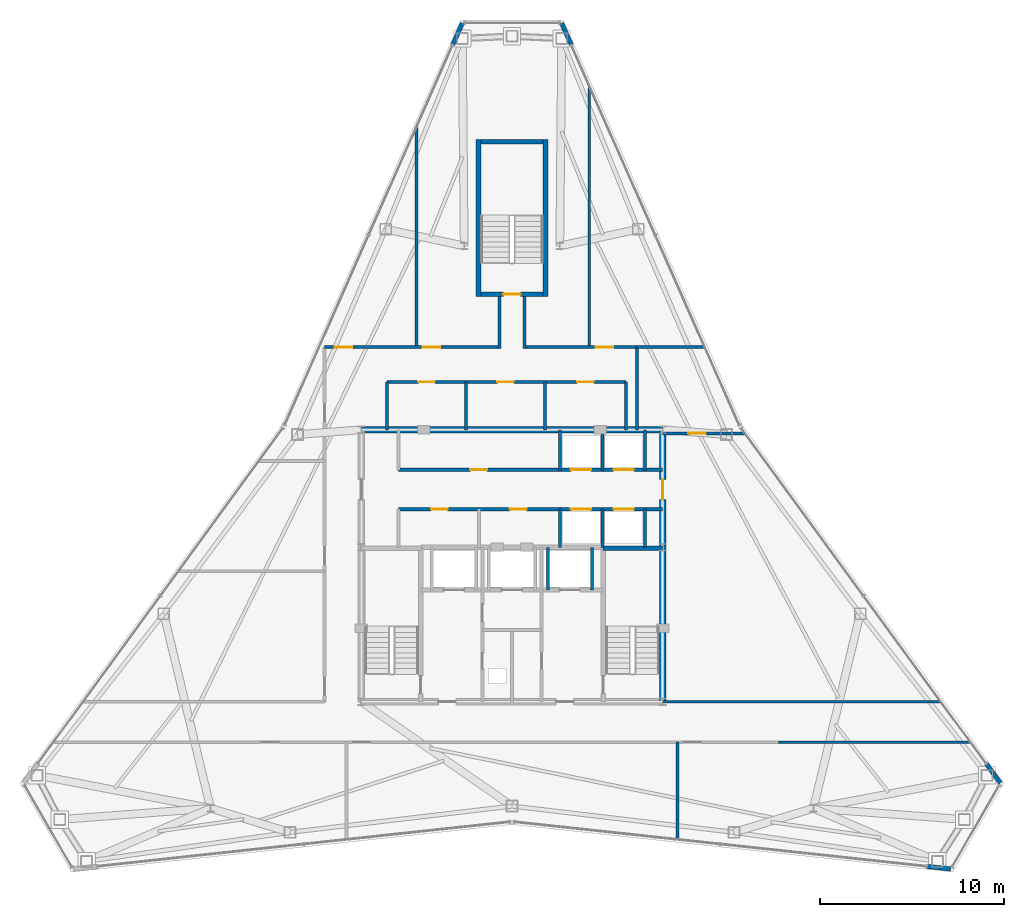
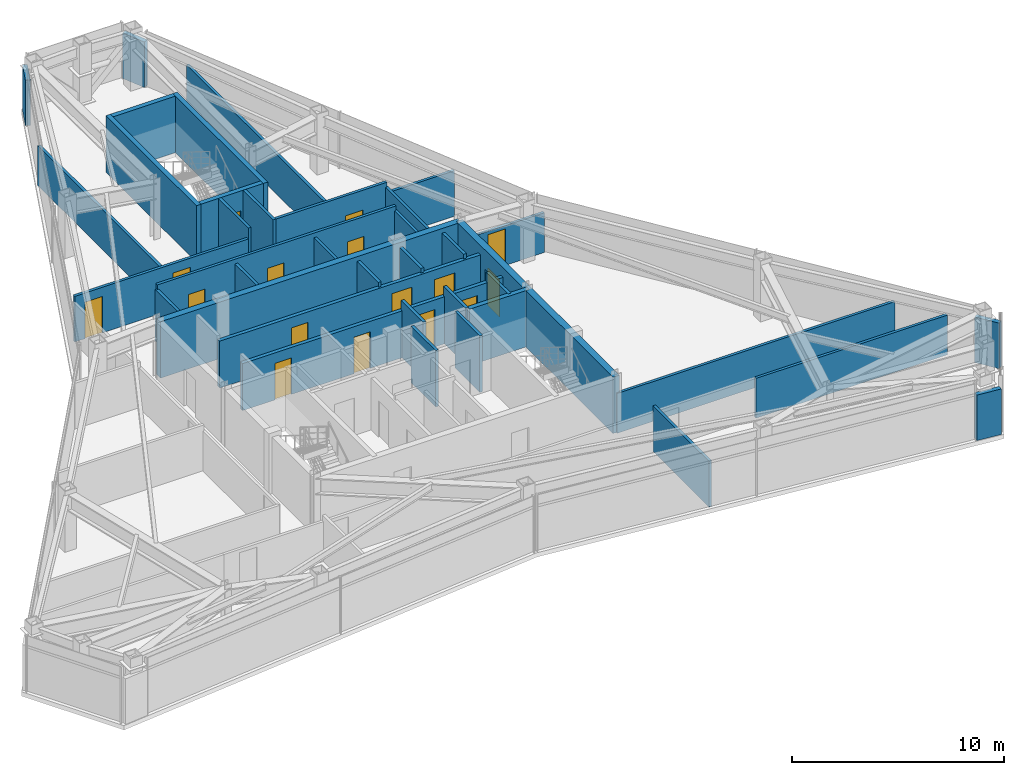
# One storey, part 10 of 12: 38 walls, 16 doors, 16 openings.
"""IFC4 building model written with IfcOpenShell, lengths in metres."""

from ifc_helpers import new_model, si_unit, direction, frame, frame_2d, origin, place, context, subcontext, project, spatial, rectangle, extrude, material, layer, layer_set, type_object, element, fill, save


model = new_model("IFC4")

# Units and contexts
model_context = context("Model", 3, precision=1e-05, world=origin(), true_north=direction((0.0, 1.0)))
body_context = subcontext(model_context, "Body", "Model", "MODEL_VIEW")
ifc_project = project(units=[si_unit("LENGTHUNIT", "METRE"), si_unit("AREAUNIT", "SQUARE_METRE"), si_unit("VOLUMEUNIT", "CUBIC_METRE"), si_unit("PLANEANGLEUNIT", "RADIAN"), si_unit("MASSUNIT", "GRAM", prefix="KILO")], contexts=[model_context])

# Site, building, storey
site_placement = place(None, origin())
site = spatial("IfcSite", under=ifc_project, at=site_placement, CompositionType="ELEMENT")
building_placement = place(site_placement, origin())
building = spatial("IfcBuilding", under=site, at=building_placement, Name="Varakhsha Concourse Tower", CompositionType="ELEMENT")
storey_placement = place(building_placement, frame((0.0, 0.0, 265.5)))
storey = spatial("IfcBuildingStorey", under=building, at=storey_placement, Name="L75", CompositionType="ELEMENT", Elevation=265.5)

# Wall
ifc_material_1 = material(Name="Concrete fc 65 MPa", Category="concrete")
ifc_layer_1 = layer(ifc_material_1, 0.35009765625, Name="WL-CORE-350")
ifc_layer_set_1 = layer_set([ifc_layer_1], Name="Concrete fc 65 MPa")
wall_type_1 = type_object("IfcWallType", Name="WL-CORE-350", PredefinedType="SHEAR", material=ifc_layer_set_1)
wall_1_placement = place(storey_placement, frame((31.800048828125, 31.199951171875, 0.0), z_axis=(0.0, 0.0, 1.0), x_axis=(1.0, 0.0, 0.0)))
element("IfcWall", 1, at=wall_1_placement, inside=storey, type_object=wall_type_1, Name="L75 Wall CWALL-N-L75", PredefinedType="SHEAR", context=body_context, shape_type="SweptSolid", body=[
    extrude(rectangle(XDim=16.39990234375, YDim=0.35009765625, at=frame_2d((8.199951171875, 0.0))), origin(), (0.0, 0.0, 1.0), 3.25),
])

# Wall, opening, door
wall_2_placement = place(storey_placement, frame((48.199951171875, 16.39990234375, 0.0), z_axis=(0.0, 0.0, 1.0), x_axis=(0.0, 1.0, 0.0)))
wall_2 = element("IfcWall", 2, at=wall_2_placement, inside=storey, type_object=wall_type_1, Name="L75 Wall CWALL-E-L75", PredefinedType="SHEAR", context=body_context, shape_type="SweptSolid", body=[
    extrude(rectangle(XDim=14.800048828125, YDim=0.35009765625, at=frame_2d((7.39990234375, 0.0))), origin(), (0.0, 0.0, 1.0), 3.25),
])
opening_1_placement = place(wall_2_placement, frame((11.0, 0.0, 0.0)))
opening_1 = element("IfcOpeningElement", 3, at=opening_1_placement, cuts=wall_2, Name="Opening DL-01", PredefinedType="OPENING", context=body_context, shape_type="SweptSolid", body=[
    extrude(rectangle(XDim=1.10009765625, YDim=2.14990234375, at=frame_2d((0.550048828125, 1.074951171875))), frame((0.0, 0.18505859375, 0.0), z_axis=(0.0, -1.0, 0.0), x_axis=(1.0, 0.0, 0.0)), (0.0, 0.0, 1.0), 0.3701171875),
])
ifc_material_2 = material(Name="Anodised Bronze Architectural Aluminium AA 6063-T6", Category="aluminium")
door_type_1 = type_object("IfcDoorType", Name="DR-LOB-1100", OperationType="NOTDEFINED", PredefinedType="DOOR", material=ifc_material_2)
door_1_placement = place(opening_1_placement, origin())
door_1 = element("IfcDoor", 4, at=door_1_placement, inside=storey, type_object=door_type_1, Name="L75 Lift Lobby East Concourse Door", OperationType="SINGLE_SWING_RIGHT", OverallHeight=2.14990234375, OverallWidth=1.10009765625, PredefinedType="DOOR", context=body_context, shape_type="SweptSolid", body=[
    extrude(rectangle(XDim=1.10009765625, YDim=2.14990234375, at=frame_2d((0.550048828125, 1.074951171875))), frame((0.0, 0.02490234375, 0.0), z_axis=(0.0, -1.0, 0.0), x_axis=(1.0, 0.0, 0.0)), (0.0, 0.0, 1.0), 0.050048828125),
])
fill(opening_1, door_1)

# Walls
ifc_material_3 = material(Name="Concrete fc 45 MPa", Category="concrete")
ifc_layer_2 = layer(ifc_material_3, 0.239990234375, Name="WL-EXT-CRN-240")
ifc_layer_set_2 = layer_set([ifc_layer_2], Name="Concrete fc 45 MPa")
wall_type_2 = type_object("IfcWallType", Name="WL-EXT-CRN-240", PredefinedType="SHEAR", material=ifc_layer_set_2)
wall_3_placement = place(storey_placement, frame((37.299072265625, 53.3251953125, 0.0), z_axis=(0.0, 0.0, 1.0), x_axis=(-0.404283482114, -0.9146337333, 0.0)))
element("IfcWall", 5, at=wall_3_placement, inside=storey, type_object=wall_type_2, Name="L75 Wind-Corner Shoulder Wall F2", PredefinedType="SHEAR", context=body_context, shape_type="SweptSolid", body=[
    extrude(rectangle(XDim=1.2705078125, YDim=0.239990234375, at=frame_2d((0.63525390625, 0.0))), origin(), (0.0, 0.0, 1.0), 2.623046875),
])
for number, where, z_axis, x_axis, name in (
    (6, (62.609619140625, 7.4345703125, 0.0), (0.0, 0.0, 1.0), (0.994223700758, -0.107327689113, 0.0), "L75 Wind-Corner Shoulder Wall F6"),
    (7, (66.572998046875, 11.977294921875, 0.0), (0.0, 0.0, 1.0), (-0.589920134733, 0.807461599481, 0.0), "L75 Wind-Corner Shoulder Wall F8"),
):
    element("IfcWall", number, at=place(storey_placement, frame(where, z_axis=z_axis, x_axis=x_axis)), inside=storey, type_object=wall_type_2, Name=name, PredefinedType="SHEAR", context=body_context, shape_type="SweptSolid", body=[
        extrude(rectangle(XDim=1.269287109375, YDim=0.239990234375, at=frame_2d((0.634765625, 0.0))), origin(), (0.0, 0.0, 1.0), 2.623046875),
    ])
wall_4_placement = place(storey_placement, frame((43.214599609375, 52.1630859375, 0.0), z_axis=(0.0, 0.0, 1.0), x_axis=(-0.404283482114, 0.9146337333, 0.0)))
element("IfcWall", 8, at=wall_4_placement, inside=storey, type_object=wall_type_2, Name="L75 Wind-Corner Shoulder Wall F9", PredefinedType="SHEAR", context=body_context, shape_type="SweptSolid", body=[
    extrude(rectangle(XDim=1.2705078125, YDim=0.239990234375, at=frame_2d((0.63525390625, 0.0))), origin(), (0.0, 0.0, 1.0), 2.623046875),
])

# Wall, openings, doors
ifc_material_4 = material(Name="Fire-Rated Type X Gypsum Partition Assembly", Category="gypsum")
ifc_layer_3 = layer(ifc_material_4, 0.14990234375, Name="WL-PART-150")
ifc_layer_set_3 = layer_set([ifc_layer_3], Name="Fire-Rated Type X Gypsum Partition Assembly")
wall_type_3 = type_object("IfcWallType", Name="WL-PART-150", PredefinedType="PARTITIONING", material=ifc_layer_set_3)
wall_5_placement = place(storey_placement, frame((33.199951171875, 33.800048828125, 0.0), z_axis=(0.0, 0.0, 1.0), x_axis=(1.0, 0.0, 0.0)))
wall_5 = element("IfcWall", 9, at=wall_5_placement, inside=storey, type_object=wall_type_3, Name="L75 Wall NBOH-N-L75", PredefinedType="PARTITIONING", context=body_context, shape_type="SweptSolid", body=[
    extrude(rectangle(XDim=13.0, YDim=0.14990234375, at=frame_2d((6.5, 0.0))), origin(), (0.0, 0.0, 1.0), 3.25),
])
opening_2_placement = place(wall_5_placement, frame((1.699951171875, 0.0, 0.0)))
opening_2 = element("IfcOpeningElement", 10, at=opening_2_placement, cuts=wall_5, Name="Opening DF-06", PredefinedType="OPENING", context=body_context, shape_type="SweptSolid", body=[
    extrude(rectangle(XDim=0.89990234375, YDim=2.10009765625, at=frame_2d((0.449951171875, 1.050048828125))), frame((0.0, 0.0849609375, 0.0), z_axis=(0.0, -1.0, 0.0), x_axis=(1.0, 0.0, 0.0)), (0.0, 0.0, 1.0), 0.169921875),
])
opening_3_placement = place(wall_5_placement, frame((6.0, 0.0, 0.0)))
opening_3 = element("IfcOpeningElement", 11, at=opening_3_placement, cuts=wall_5, Name="Opening DF-06", PredefinedType="OPENING", context=body_context, shape_type="SweptSolid", body=[
    extrude(rectangle(XDim=0.89990234375, YDim=2.10009765625, at=frame_2d((0.449951171875, 1.050048828125))), frame((0.0, 0.0849609375, 0.0), z_axis=(0.0, -1.0, 0.0), x_axis=(1.0, 0.0, 0.0)), (0.0, 0.0, 1.0), 0.169921875),
])
opening_4_placement = place(wall_5_placement, frame((10.35009765625, 0.0, 0.0)))
opening_4 = element("IfcOpeningElement", 12, at=opening_4_placement, cuts=wall_5, Name="Opening DF-06", PredefinedType="OPENING", context=body_context, shape_type="SweptSolid", body=[
    extrude(rectangle(XDim=0.89990234375, YDim=2.10009765625, at=frame_2d((0.449951171875, 1.050048828125))), frame((0.0, 0.0849609375, 0.0), z_axis=(0.0, -1.0, 0.0), x_axis=(1.0, 0.0, 0.0)), (0.0, 0.0, 1.0), 0.169921875),
])
ifc_material_5 = material(Name="Hollow Galvanised Steel Fire Door Assembly", Category="steel")
door_type_2 = type_object("IfcDoorType", Name="DR-FD60-900", OperationType="NOTDEFINED", PredefinedType="DOOR", material=ifc_material_5)
door_2_placement = place(opening_2_placement, origin())
door_2 = element("IfcDoor", 13, at=door_2_placement, inside=storey, type_object=door_type_2, Name="L75 Men Restroom WC Door", OperationType="SINGLE_SWING_LEFT", OverallHeight=2.10009765625, OverallWidth=0.89990234375, PredefinedType="DOOR", context=body_context, shape_type="SweptSolid", body=[
    extrude(rectangle(XDim=0.89990234375, YDim=2.10009765625, at=frame_2d((0.449951171875, 1.050048828125))), frame((0.0, 0.02490234375, 0.0), z_axis=(0.0, -1.0, 0.0), x_axis=(1.0, 0.0, 0.0)), (0.0, 0.0, 1.0), 0.050048828125),
])
fill(opening_2, door_2)
door_3_placement = place(opening_3_placement, origin())
door_3 = element("IfcDoor", 14, at=door_3_placement, inside=storey, type_object=door_type_2, Name="L75 Women Restroom WC Door", OperationType="SINGLE_SWING_RIGHT", OverallHeight=2.10009765625, OverallWidth=0.89990234375, PredefinedType="DOOR", context=body_context, shape_type="SweptSolid", body=[
    extrude(rectangle(XDim=0.89990234375, YDim=2.10009765625, at=frame_2d((0.449951171875, 1.050048828125))), frame((0.0, 0.02490234375, 0.0), z_axis=(0.0, -1.0, 0.0), x_axis=(1.0, 0.0, 0.0)), (0.0, 0.0, 1.0), 0.050048828125),
])
fill(opening_3, door_3)
door_4_placement = place(opening_4_placement, origin())
door_4 = element("IfcDoor", 15, at=door_4_placement, inside=storey, type_object=door_type_2, Name="L75 Accessible WC Door", OperationType="SINGLE_SWING_LEFT", OverallHeight=2.10009765625, OverallWidth=0.89990234375, PredefinedType="DOOR", context=body_context, shape_type="SweptSolid", body=[
    extrude(rectangle(XDim=0.89990234375, YDim=2.10009765625, at=frame_2d((0.449951171875, 1.050048828125))), frame((0.0, 0.02490234375, 0.0), z_axis=(0.0, -1.0, 0.0), x_axis=(1.0, 0.0, 0.0)), (0.0, 0.0, 1.0), 0.050048828125),
])
fill(opening_4, door_4)

# Walls
for number, where, z_axis, x_axis, name in (
    (16, (33.199951171875, 31.199951171875, 0.0), (0.0, 0.0, 1.0), (0.0, 1.0, 0.0), "L75 Wall NBOH-W-L75"),
    (17, (46.199951171875, 31.199951171875, 0.0), (0.0, 0.0, 1.0), (0.0, 1.0, 0.0), "L75 Wall NBOH-E-L75"),
    (18, (37.5, 31.199951171875, 0.0), (0.0, 0.0, 1.0), (0.0, 1.0, 0.0), "L75 Wall NBOH-D1-L75"),
    (19, (41.800048828125, 31.199951171875, 0.0), (0.0, 0.0, 1.0), (0.0, 1.0, 0.0), "L75 Wall NBOH-D2-L75"),
):
    element("IfcWall", number, at=place(storey_placement, frame(where, z_axis=z_axis, x_axis=x_axis)), inside=storey, type_object=wall_type_3, Name=name, PredefinedType="PARTITIONING", context=body_context, shape_type="SweptSolid", body=[
        extrude(rectangle(XDim=2.60009765625, YDim=0.14990234375, at=frame_2d((1.300048828125, 0.0))), origin(), (0.0, 0.0, 1.0), 2.97802734375),
    ])
wall_6_placement = place(storey_placement, frame((54.5, 14.199951171875, 0.0), z_axis=(0.0, 0.0, 1.0), x_axis=(1.0, 0.0, 0.0)))
element("IfcWall", 20, at=wall_6_placement, inside=storey, type_object=wall_type_3, Name="L75 Wall CRW-SGAL-SE-L75", PredefinedType="PARTITIONING", context=body_context, shape_type="SweptSolid", body=[
    extrude(rectangle(XDim=10.44287109375, YDim=0.14990234375, at=frame_2d((5.221435546875, 0.0))), origin(), (0.0, 0.0, 1.0), 2.2919921875),
])
wall_7_placement = place(storey_placement, frame((48.199951171875, 16.39990234375, 0.0), z_axis=(0.0, 0.0, 1.0), x_axis=(1.0, 0.0, 0.0)))
element("IfcWall", 21, at=wall_7_placement, inside=storey, type_object=wall_type_3, Name="L75 Wall CRW-SGAL-NE-L75", PredefinedType="PARTITIONING", context=body_context, shape_type="SweptSolid", body=[
    extrude(rectangle(XDim=15.135498046875, YDim=0.14990234375, at=frame_2d((7.56787109375, 0.0))), origin(), (0.0, 0.0, 1.0), 2.2919921875),
])

# Wall, openings, doors
wall_8_placement = place(storey_placement, frame((29.800048828125, 35.699951171875, 0.0), z_axis=(0.0, 0.0, 1.0), x_axis=(1.0, 0.0, 0.0)))
wall_8 = element("IfcWall", 22, at=wall_8_placement, inside=storey, type_object=wall_type_3, Name="L75 Wall CRW-N-L75", PredefinedType="PARTITIONING", context=body_context, shape_type="SweptSolid", body=[
    extrude(rectangle(XDim=9.449951171875, YDim=0.14990234375, at=frame_2d((4.72509765625, 0.0))), origin(), (0.0, 0.0, 1.0), 2.6279296875),
])
opening_5_placement = place(wall_8_placement, frame((0.550048828125, 0.0, 0.0)))
opening_5 = element("IfcOpeningElement", 23, at=opening_5_placement, cuts=wall_8, Name="Opening DF-05", PredefinedType="OPENING", context=body_context, shape_type="SweptSolid", body=[
    extrude(rectangle(XDim=0.949951171875, YDim=2.10009765625, at=frame_2d((0.47509765625, 1.050048828125))), frame((0.0, 0.0849609375, 0.0), z_axis=(0.0, -1.0, 0.0), x_axis=(1.0, 0.0, 0.0)), (0.0, 0.0, 1.0), 0.169921875),
])
opening_6_placement = place(wall_8_placement, frame((5.35009765625, 0.0, 0.0)))
opening_6 = element("IfcOpeningElement", 24, at=opening_6_placement, cuts=wall_8, Name="Opening DF-05", PredefinedType="OPENING", context=body_context, shape_type="SweptSolid", body=[
    extrude(rectangle(XDim=0.949951171875, YDim=2.10009765625, at=frame_2d((0.47509765625, 1.050048828125))), frame((0.0, 0.0849609375, 0.0), z_axis=(0.0, -1.0, 0.0), x_axis=(1.0, 0.0, 0.0)), (0.0, 0.0, 1.0), 0.169921875),
])
door_type_3 = type_object("IfcDoorType", Name="DR-FD60-950", OperationType="NOTDEFINED", PredefinedType="DOOR", material=ifc_material_5)
door_5_placement = place(opening_5_placement, origin())
door_5 = element("IfcDoor", 25, at=door_5_placement, inside=storey, type_object=door_type_3, Name="L75 Mountain View Deposition Conference Room L75-N1 Door", OperationType="SINGLE_SWING_LEFT", OverallHeight=2.10009765625, OverallWidth=0.949951171875, PredefinedType="DOOR", context=body_context, shape_type="SweptSolid", body=[
    extrude(rectangle(XDim=0.949951171875, YDim=2.10009765625, at=frame_2d((0.47509765625, 1.050048828125))), frame((0.0, 0.02490234375, 0.0), z_axis=(0.0, -1.0, 0.0), x_axis=(1.0, 0.0, 0.0)), (0.0, 0.0, 1.0), 0.050048828125),
])
fill(opening_5, door_5)
door_6_placement = place(opening_6_placement, origin())
door_6 = element("IfcDoor", 26, at=door_6_placement, inside=storey, type_object=door_type_3, Name="L75 North Senior Partner Chamber L75-N2 Door", OperationType="SINGLE_SWING_RIGHT", OverallHeight=2.10009765625, OverallWidth=0.949951171875, PredefinedType="DOOR", context=body_context, shape_type="SweptSolid", body=[
    extrude(rectangle(XDim=0.949951171875, YDim=2.10009765625, at=frame_2d((0.47509765625, 1.050048828125))), frame((0.0, 0.02490234375, 0.0), z_axis=(0.0, -1.0, 0.0), x_axis=(1.0, 0.0, 0.0)), (0.0, 0.0, 1.0), 0.050048828125),
])
fill(opening_6, door_6)

# Wall, opening, door
wall_9_placement = place(storey_placement, frame((40.75, 35.699951171875, 0.0), z_axis=(0.0, 0.0, 1.0), x_axis=(1.0, 0.0, 0.0)))
wall_9 = element("IfcWall", 27, at=wall_9_placement, inside=storey, type_object=wall_type_3, Name="L75 Wall CRW-N-L75-B", PredefinedType="PARTITIONING", context=body_context, shape_type="SweptSolid", body=[
    extrude(rectangle(XDim=6.050048828125, YDim=0.14990234375, at=frame_2d((3.02490234375, 0.0))), origin(), (0.0, 0.0, 1.0), 3.25),
])
opening_7_placement = place(wall_9_placement, frame((3.800048828125, 0.0, 0.0)))
opening_7 = element("IfcOpeningElement", 28, at=opening_7_placement, cuts=wall_9, Name="Opening DF-05", PredefinedType="OPENING", context=body_context, shape_type="SweptSolid", body=[
    extrude(rectangle(XDim=0.949951171875, YDim=2.10009765625, at=frame_2d((0.47509765625, 1.050048828125))), frame((0.0, 0.0849609375, 0.0), z_axis=(0.0, -1.0, 0.0), x_axis=(1.0, 0.0, 0.0)), (0.0, 0.0, 1.0), 0.169921875),
])
door_7_placement = place(opening_7_placement, origin())
door_7 = element("IfcDoor", 29, at=door_7_placement, inside=storey, type_object=door_type_3, Name="L75 North Senior Partner Chamber L75-N3 Door", OperationType="SINGLE_SWING_LEFT", OverallHeight=2.10009765625, OverallWidth=0.949951171875, PredefinedType="DOOR", context=body_context, shape_type="SweptSolid", body=[
    extrude(rectangle(XDim=0.949951171875, YDim=2.10009765625, at=frame_2d((0.47509765625, 1.050048828125))), frame((0.0, 0.02490234375, 0.0), z_axis=(0.0, -1.0, 0.0), x_axis=(1.0, 0.0, 0.0)), (0.0, 0.0, 1.0), 0.050048828125),
])
fill(opening_7, door_7)

# Walls
wall_10_placement = place(storey_placement, frame((46.800048828125, 31.199951171875, 0.0), z_axis=(0.0, 0.0, 1.0), x_axis=(0.0, 1.0, 0.0)))
element("IfcWall", 30, at=wall_10_placement, inside=storey, type_object=wall_type_3, Name="L75 Wall CRW-NE-L75", PredefinedType="PARTITIONING", context=body_context, shape_type="SweptSolid", body=[
    extrude(rectangle(XDim=4.5, YDim=0.14990234375, at=frame_2d((2.25, 0.0))), origin(), (0.0, 0.0, 1.0), 2.97802734375),
])
wall_11_placement = place(storey_placement, frame((49.0, 8.906982421875, 0.0), z_axis=(0.0, 0.0, 1.0), x_axis=(0.0, 1.0, 0.0)))
element("IfcWall", 31, at=wall_11_placement, inside=storey, type_object=wall_type_3, Name="L75 Wall ODIV-S2-L75", PredefinedType="PARTITIONING", context=body_context, shape_type="SweptSolid", body=[
    extrude(rectangle(XDim=5.29296875, YDim=0.14990234375, at=frame_2d((2.646484375, 0.0))), origin(), (0.0, 0.0, 1.0), 2.6279296875),
])
wall_12_placement = place(storey_placement, frame((46.800048828125, 35.699951171875, 0.0), z_axis=(0.0, 0.0, 1.0), x_axis=(1.0, 0.0, 0.0)))
element("IfcWall", 32, at=wall_12_placement, inside=storey, type_object=wall_type_3, Name="L75 Wall ODIV-EBN-L75", PredefinedType="PARTITIONING", context=body_context, shape_type="SweptSolid", body=[
    extrude(rectangle(XDim=3.685791015625, YDim=0.14990234375, at=frame_2d((1.8427734375, 0.0))), origin(), (0.0, 0.0, 1.0), 2.6279296875),
])

# Wall, opening, door
wall_13_placement = place(storey_placement, frame((48.199951171875, 31.0, 0.0), z_axis=(0.0, 0.0, 1.0), x_axis=(1.0, 0.0, 0.0)))
wall_13 = element("IfcWall", 33, at=wall_13_placement, inside=storey, type_object=wall_type_3, Name="L75 Wall ODIV-E1-L75", PredefinedType="PARTITIONING", context=body_context, shape_type="SweptSolid", body=[
    extrude(rectangle(XDim=4.467529296875, YDim=0.14990234375, at=frame_2d((2.23388671875, 0.0))), origin(), (0.0, 0.0, 1.0), 2.2919921875),
])
opening_8_placement = place(wall_13_placement, frame((1.39990234375, 0.0, 0.0)))
opening_8 = element("IfcOpeningElement", 34, at=opening_8_placement, cuts=wall_13, Name="Opening DF-05", PredefinedType="OPENING", context=body_context, shape_type="SweptSolid", body=[
    extrude(rectangle(XDim=0.949951171875, YDim=2.10009765625, at=frame_2d((0.47509765625, 1.050048828125))), frame((0.0, 0.0849609375, 0.0), z_axis=(0.0, -1.0, 0.0), x_axis=(1.0, 0.0, 0.0)), (0.0, 0.0, 1.0), 0.169921875),
])
door_8_placement = place(opening_8_placement, origin())
door_8 = element("IfcDoor", 35, at=door_8_placement, inside=storey, type_object=door_type_3, Name="L75 East Suite Interconnect Door 1", OperationType="SINGLE_SWING_LEFT", OverallHeight=2.10009765625, OverallWidth=0.949951171875, PredefinedType="DOOR", context=body_context, shape_type="SweptSolid", body=[
    extrude(rectangle(XDim=0.949951171875, YDim=2.10009765625, at=frame_2d((0.47509765625, 1.050048828125))), frame((0.0, 0.02490234375, 0.0), z_axis=(0.0, -1.0, 0.0), x_axis=(1.0, 0.0, 0.0)), (0.0, 0.0, 1.0), 0.050048828125),
])
fill(opening_8, door_8)

# Walls
wall_14_placement = place(storey_placement, frame((34.800048828125, 35.699951171875, 0.0), z_axis=(0.0, 0.0, 1.0), x_axis=(0.0, 1.0, 0.0)))
element("IfcWall", 36, at=wall_14_placement, inside=storey, type_object=wall_type_3, Name="L75 Wall ODIV-N1-L75", PredefinedType="PARTITIONING", context=body_context, shape_type="SweptSolid", body=[
    extrude(rectangle(XDim=11.958984375, YDim=0.14990234375, at=frame_2d((5.9794921875, 0.0))), origin(), (0.0, 0.0, 1.0), 2.2919921875),
])
wall_15_placement = place(storey_placement, frame((44.199951171875, 35.699951171875, 0.0), z_axis=(0.0, 0.0, 1.0), x_axis=(0.0, 1.0, 0.0)))
element("IfcWall", 37, at=wall_15_placement, inside=storey, type_object=wall_type_3, Name="L75 Wall ODIV-N2-L75", PredefinedType="PARTITIONING", context=body_context, shape_type="SweptSolid", body=[
    extrude(rectangle(XDim=14.221435546875, YDim=0.14990234375, at=frame_2d((7.11083984375, 0.0))), origin(), (0.0, 0.0, 1.0), 2.2919921875),
])
for number, where, z_axis, x_axis, name in (
    (38, (39.324951171875, 35.625, 0.0), (0.0, 0.0, 1.0), (0.0, 1.0, 0.0), "L75 Wall STUB-W-L75"),
    (39, (40.675048828125, 35.625, 0.0), (0.0, 0.0, 1.0), (0.0, 1.0, 0.0), "L75 Wall STUB-E-L75"),
):
    element("IfcWall", number, at=place(storey_placement, frame(where, z_axis=z_axis, x_axis=x_axis)), inside=storey, type_object=wall_type_3, Name=name, PredefinedType="PARTITIONING", context=body_context, shape_type="SweptSolid", body=[
        extrude(rectangle(XDim=2.824951171875, YDim=0.14990234375, at=frame_2d((1.41259765625, 0.0))), origin(), (0.0, 0.0, 1.0), 3.25),
    ])
ifc_layer_4 = layer(ifc_material_4, 0.199951171875, Name="WL-SHAFT-220")
ifc_layer_set_4 = layer_set([ifc_layer_4], Name="Fire-Rated Type X Gypsum Partition Assembly")
wall_type_4 = type_object("IfcWallType", Name="WL-SHAFT-220", PredefinedType="SOLIDWALL", material=ifc_layer_set_4)
for number, where, z_axis, x_axis, name in (
    (40, (41.949951171875, 22.47998046875, 0.0), (0.0, 0.0, 1.0), (0.0, 1.0, 0.0), "L75 Wall SHW-FFL-2-W-L75"),
    (41, (44.35009765625, 22.47998046875, 0.0), (0.0, 0.0, 1.0), (0.0, 1.0, 0.0), "L75 Wall SHW-FFL-2-E-L75"),
):
    element("IfcWall", number, at=place(storey_placement, frame(where, z_axis=z_axis, x_axis=x_axis)), inside=storey, type_object=wall_type_4, Name=name, PredefinedType="SOLIDWALL", context=body_context, shape_type="SweptSolid", body=[
        extrude(rectangle(XDim=2.320068359375, YDim=0.159912109375, at=frame_2d((1.16015625, 0.0))), origin(), (0.0, 0.0, 1.0), 3.25),
    ])

# Wall, openings, doors
wall_16_placement = place(storey_placement, frame((33.820068359375, 29.02001953125, 0.0), z_axis=(0.0, 0.0, 1.0), x_axis=(1.0, 0.0, 0.0)))
wall_16 = element("IfcWall", 42, at=wall_16_placement, inside=storey, type_object=wall_type_4, Name="L75 Wall PLW-N-L75", PredefinedType="SOLIDWALL", context=body_context, shape_type="SweptSolid", body=[
    extrude(rectangle(XDim=14.3798828125, YDim=0.199951171875, at=frame_2d((7.18994140625, 0.0))), origin(), (0.0, 0.0, 1.0), 2.705078125),
])
opening_9_placement = place(wall_16_placement, frame((3.919921875, 0.0, 0.0)))
opening_9 = element("IfcOpeningElement", 43, at=opening_9_placement, cuts=wall_16, Name="Opening DF-06", PredefinedType="OPENING", context=body_context, shape_type="SweptSolid", body=[
    extrude(rectangle(XDim=0.89990234375, YDim=2.10009765625, at=frame_2d((0.449951171875, 1.050048828125))), frame((0.0, 0.10986328125, 0.0), z_axis=(0.0, -1.0, 0.0), x_axis=(1.0, 0.0, 0.0)), (0.0, 0.0, 1.0), 0.219970703125),
])
opening_10_placement = place(wall_16_placement, frame((9.389892578125, 0.0, 0.0)))
opening_10 = element("IfcOpeningElement", 44, at=opening_10_placement, cuts=wall_16, Name="Opening LD-LF-P09", PredefinedType="OPENING", context=body_context, shape_type="SweptSolid", body=[
    extrude(rectangle(XDim=1.10009765625, YDim=2.14990234375, at=frame_2d((0.550048828125, 1.074951171875))), frame((0.0, 0.10986328125, 0.0), z_axis=(0.0, -1.0, 0.0), x_axis=(1.0, 0.0, 0.0)), (0.0, 0.0, 1.0), 0.219970703125),
])
opening_11_placement = place(wall_16_placement, frame((11.7099609375, 0.0, 0.0)))
opening_11 = element("IfcOpeningElement", 45, at=opening_11_placement, cuts=wall_16, Name="Opening LD-LF-P10", PredefinedType="OPENING", context=body_context, shape_type="SweptSolid", body=[
    extrude(rectangle(XDim=1.10009765625, YDim=2.14990234375, at=frame_2d((0.550048828125, 1.074951171875))), frame((0.0, 0.10986328125, 0.0), z_axis=(0.0, -1.0, 0.0), x_axis=(1.0, 0.0, 0.0)), (0.0, 0.0, 1.0), 0.219970703125),
])
door_9_placement = place(opening_9_placement, origin())
door_9 = element("IfcDoor", 46, at=door_9_placement, inside=storey, type_object=door_type_2, Name="L75 Tenant Archive and IT Server Room Door", OperationType="SINGLE_SWING_LEFT", OverallHeight=2.10009765625, OverallWidth=0.89990234375, PredefinedType="DOOR", context=body_context, shape_type="SweptSolid", body=[
    extrude(rectangle(XDim=0.89990234375, YDim=2.10009765625, at=frame_2d((0.449951171875, 1.050048828125))), frame((0.0, 0.02490234375, 0.0), z_axis=(0.0, -1.0, 0.0), x_axis=(1.0, 0.0, 0.0)), (0.0, 0.0, 1.0), 0.050048828125),
])
fill(opening_9, door_9)
ifc_material_6 = material(Name="Brushed Austenitic Stainless Steel AISI 316", Category="steel")
door_type_4 = type_object("IfcDoorType", Name="DR-LD-1100", OperationType="DOUBLE_DOOR_SLIDING", PredefinedType="DOOR", material=ifc_material_6)
door_10_placement = place(opening_10_placement, origin())
door_10 = element("IfcDoor", 47, at=door_10_placement, inside=storey, type_object=door_type_4, Name="Lift Landing Door LF-P09 L75", OperationType="DOUBLE_DOOR_SLIDING", OverallHeight=2.14990234375, OverallWidth=1.10009765625, PredefinedType="DOOR", context=body_context, shape_type="SweptSolid", body=[
    extrude(rectangle(XDim=1.10009765625, YDim=2.14990234375, at=frame_2d((0.550048828125, 1.074951171875))), frame((0.0, 0.02490234375, 0.0), z_axis=(0.0, -1.0, 0.0), x_axis=(1.0, 0.0, 0.0)), (0.0, 0.0, 1.0), 0.050048828125),
])
fill(opening_10, door_10)
door_11_placement = place(opening_11_placement, origin())
door_11 = element("IfcDoor", 48, at=door_11_placement, inside=storey, type_object=door_type_4, Name="Lift Landing Door LF-P10 L75", OperationType="DOUBLE_DOOR_SLIDING", OverallHeight=2.14990234375, OverallWidth=1.10009765625, PredefinedType="DOOR", context=body_context, shape_type="SweptSolid", body=[
    extrude(rectangle(XDim=1.10009765625, YDim=2.14990234375, at=frame_2d((0.550048828125, 1.074951171875))), frame((0.0, 0.02490234375, 0.0), z_axis=(0.0, -1.0, 0.0), x_axis=(1.0, 0.0, 0.0)), (0.0, 0.0, 1.0), 0.050048828125),
])
fill(opening_11, door_11)

wall_17_placement = place(storey_placement, frame((33.820068359375, 26.8798828125, 0.0), z_axis=(0.0, 0.0, 1.0), x_axis=(1.0, 0.0, 0.0)))
wall_17 = element("IfcWall", 49, at=wall_17_placement, inside=storey, type_object=wall_type_4, Name="L75 Wall PLW-S-L75", PredefinedType="SOLIDWALL", context=body_context, shape_type="SweptSolid", body=[
    extrude(rectangle(XDim=14.3798828125, YDim=0.199951171875, at=frame_2d((7.18994140625, 0.0))), origin(), (0.0, 0.0, 1.0), 2.705078125),
])
opening_12_placement = place(wall_17_placement, frame((1.780029296875, 0.0, 0.0)))
opening_12 = element("IfcOpeningElement", 50, at=opening_12_placement, cuts=wall_17, Name="Opening DF-06", PredefinedType="OPENING", context=body_context, shape_type="SweptSolid", body=[
    extrude(rectangle(XDim=0.89990234375, YDim=2.10009765625, at=frame_2d((0.449951171875, 1.050048828125))), frame((0.0, 0.10986328125, 0.0), z_axis=(0.0, -1.0, 0.0), x_axis=(1.0, 0.0, 0.0)), (0.0, 0.0, 1.0), 0.219970703125),
])
opening_13_placement = place(wall_17_placement, frame((6.070068359375, 0.0, 0.0)))
opening_13 = element("IfcOpeningElement", 51, at=opening_13_placement, cuts=wall_17, Name="Opening DF-06", PredefinedType="OPENING", context=body_context, shape_type="SweptSolid", body=[
    extrude(rectangle(XDim=0.89990234375, YDim=2.10009765625, at=frame_2d((0.449951171875, 1.050048828125))), frame((0.0, 0.10986328125, 0.0), z_axis=(0.0, -1.0, 0.0), x_axis=(1.0, 0.0, 0.0)), (0.0, 0.0, 1.0), 0.219970703125),
])
opening_14_placement = place(wall_17_placement, frame((9.389892578125, 0.0, 0.0)))
opening_14 = element("IfcOpeningElement", 52, at=opening_14_placement, cuts=wall_17, Name="Opening LD-LF-P11", PredefinedType="OPENING", context=body_context, shape_type="SweptSolid", body=[
    extrude(rectangle(XDim=1.10009765625, YDim=2.14990234375, at=frame_2d((0.550048828125, 1.074951171875))), frame((0.0, 0.10986328125, 0.0), z_axis=(0.0, -1.0, 0.0), x_axis=(1.0, 0.0, 0.0)), (0.0, 0.0, 1.0), 0.219970703125),
])
opening_15_placement = place(wall_17_placement, frame((11.7099609375, 0.0, 0.0)))
opening_15 = element("IfcOpeningElement", 53, at=opening_15_placement, cuts=wall_17, Name="Opening LD-LF-P12", PredefinedType="OPENING", context=body_context, shape_type="SweptSolid", body=[
    extrude(rectangle(XDim=1.10009765625, YDim=2.14990234375, at=frame_2d((0.550048828125, 1.074951171875))), frame((0.0, 0.10986328125, 0.0), z_axis=(0.0, -1.0, 0.0), x_axis=(1.0, 0.0, 0.0)), (0.0, 0.0, 1.0), 0.219970703125),
])
door_12_placement = place(opening_12_placement, origin())
door_12 = element("IfcDoor", 54, at=door_12_placement, inside=storey, type_object=door_type_2, Name="L75 Executive Pantry and Copy Suite Door", OperationType="SINGLE_SWING_RIGHT", OverallHeight=2.10009765625, OverallWidth=0.89990234375, PredefinedType="DOOR", context=body_context, shape_type="SweptSolid", body=[
    extrude(rectangle(XDim=0.89990234375, YDim=2.10009765625, at=frame_2d((0.449951171875, 1.050048828125))), frame((0.0, 0.02490234375, 0.0), z_axis=(0.0, -1.0, 0.0), x_axis=(1.0, 0.0, 0.0)), (0.0, 0.0, 1.0), 0.050048828125),
])
fill(opening_12, door_12)
door_13_placement = place(opening_13_placement, origin())
door_13 = element("IfcDoor", 55, at=door_13_placement, inside=storey, type_object=door_type_2, Name="L75 Core Supply Closet S1 Door", OperationType="SINGLE_SWING_LEFT", OverallHeight=2.10009765625, OverallWidth=0.89990234375, PredefinedType="DOOR", context=body_context, shape_type="SweptSolid", body=[
    extrude(rectangle(XDim=0.89990234375, YDim=2.10009765625, at=frame_2d((0.449951171875, 1.050048828125))), frame((0.0, 0.02490234375, 0.0), z_axis=(0.0, -1.0, 0.0), x_axis=(1.0, 0.0, 0.0)), (0.0, 0.0, 1.0), 0.050048828125),
])
fill(opening_13, door_13)
door_14_placement = place(opening_14_placement, origin())
door_14 = element("IfcDoor", 56, at=door_14_placement, inside=storey, type_object=door_type_4, Name="Lift Landing Door LF-P11 L75", OperationType="DOUBLE_DOOR_SLIDING", OverallHeight=2.14990234375, OverallWidth=1.10009765625, PredefinedType="DOOR", context=body_context, shape_type="SweptSolid", body=[
    extrude(rectangle(XDim=1.10009765625, YDim=2.14990234375, at=frame_2d((0.550048828125, 1.074951171875))), frame((0.0, 0.02490234375, 0.0), z_axis=(0.0, -1.0, 0.0), x_axis=(1.0, 0.0, 0.0)), (0.0, 0.0, 1.0), 0.050048828125),
])
fill(opening_14, door_14)
door_15_placement = place(opening_15_placement, origin())
door_15 = element("IfcDoor", 57, at=door_15_placement, inside=storey, type_object=door_type_4, Name="Lift Landing Door LF-P12 L75", OperationType="DOUBLE_DOOR_SLIDING", OverallHeight=2.14990234375, OverallWidth=1.10009765625, PredefinedType="DOOR", context=body_context, shape_type="SweptSolid", body=[
    extrude(rectangle(XDim=1.10009765625, YDim=2.14990234375, at=frame_2d((0.550048828125, 1.074951171875))), frame((0.0, 0.02490234375, 0.0), z_axis=(0.0, -1.0, 0.0), x_axis=(1.0, 0.0, 0.0)), (0.0, 0.0, 1.0), 0.050048828125),
])
fill(opening_15, door_15)

# Walls
for number, where, z_axis, x_axis, name in (
    (58, (42.60009765625, 29.02001953125, 0.0), (0.0, 0.0, 1.0), (0.0, 1.0, 0.0), "L75 Wall SHW-LF-P09-W-L75"),
    (59, (44.919921875, 29.02001953125, 0.0), (0.0, 0.0, 1.0), (0.0, 1.0, 0.0), "L75 Wall SHW-LF-P09-E-L75"),
    (60, (47.239990234375, 29.02001953125, 0.0), (0.0, 0.0, 1.0), (0.0, 1.0, 0.0), "L75 Wall SHW-LF-P10-E-L75"),
):
    element("IfcWall", number, at=place(storey_placement, frame(where, z_axis=z_axis, x_axis=x_axis)), inside=storey, type_object=wall_type_4, Name=name, PredefinedType="SOLIDWALL", context=body_context, shape_type="SweptSolid", body=[
        extrude(rectangle(XDim=2.179931640625, YDim=0.159912109375, at=frame_2d((1.08984375, 0.0))), origin(), (0.0, 0.0, 1.0), 2.97802734375),
    ])
for number, where, z_axis, x_axis, name in (
    (61, (42.60009765625, 24.800048828125, 0.0), (0.0, 0.0, 1.0), (0.0, 1.0, 0.0), "L75 Wall SHW-LF-P11-W-L75"),
    (62, (44.919921875, 24.800048828125, 0.0), (0.0, 0.0, 1.0), (0.0, 1.0, 0.0), "L75 Wall SHW-LF-P11-E-L75"),
    (63, (47.239990234375, 24.800048828125, 0.0), (0.0, 0.0, 1.0), (0.0, 1.0, 0.0), "L75 Wall SHW-LF-P12-E-L75"),
):
    element("IfcWall", number, at=place(storey_placement, frame(where, z_axis=z_axis, x_axis=x_axis)), inside=storey, type_object=wall_type_4, Name=name, PredefinedType="SOLIDWALL", context=body_context, shape_type="SweptSolid", body=[
        extrude(rectangle(XDim=2.079833984375, YDim=0.159912109375, at=frame_2d((1.0400390625, 0.0))), origin(), (0.0, 0.0, 1.0), 3.25),
    ])
ifc_layer_5 = layer(ifc_material_3, 0.25, Name="WL-STAIR-250")
ifc_layer_set_5 = layer_set([ifc_layer_5], Name="Concrete fc 45 MPa")
wall_type_5 = type_object("IfcWallType", Name="WL-STAIR-250", PredefinedType="SHEAR", material=ifc_layer_set_5)
wall_18_placement = place(storey_placement, frame((44.955078125, 24.7548828125, 0.0), z_axis=(0.0, 0.0, 1.0), x_axis=(1.0, 0.0, 0.0)))
element("IfcWall", 64, at=wall_18_placement, inside=storey, type_object=wall_type_5, Name="L75 Wall SWALL-ST2-N-L75", PredefinedType="SHEAR", context=body_context, shape_type="SweptSolid", body=[
    extrude(rectangle(XDim=3.244873046875, YDim=0.25, at=frame_2d((1.62255859375, 0.0))), origin(), (0.0, 0.0, 1.0), 3.25),
])
for number, where, z_axis, x_axis, name in (
    (65, (38.175048828125, 38.449951171875, 0.0), (0.0, 0.0, 1.0), (0.0, 1.0, 0.0), "L75 Wall SWALL-ST5-W-L75"),
    (66, (41.824951171875, 38.449951171875, 0.0), (0.0, 0.0, 1.0), (0.0, 1.0, 0.0), "L75 Wall SWALL-ST5-E-L75"),
):
    element("IfcWall", number, at=place(storey_placement, frame(where, z_axis=z_axis, x_axis=x_axis)), inside=storey, type_object=wall_type_5, Name=name, PredefinedType="SHEAR", context=body_context, shape_type="SweptSolid", body=[
        extrude(rectangle(XDim=8.550048828125, YDim=0.25, at=frame_2d((4.27490234375, 0.0))), origin(), (0.0, 0.0, 1.0), 3.25),
    ])

# Wall, opening, door
wall_19_placement = place(storey_placement, frame((38.300048828125, 38.574951171875, 0.0), z_axis=(0.0, 0.0, 1.0), x_axis=(1.0, 0.0, 0.0)))
wall_19 = element("IfcWall", 67, at=wall_19_placement, inside=storey, type_object=wall_type_5, Name="L75 Wall SWALL-ST5-S-L75", PredefinedType="SHEAR", context=body_context, shape_type="SweptSolid", body=[
    extrude(rectangle(XDim=3.39990234375, YDim=0.25, at=frame_2d((1.699951171875, 0.0))), origin(), (0.0, 0.0, 1.0), 3.25),
])
opening_16_placement = place(wall_19_placement, frame((1.22509765625, 0.0, 0.0)))
opening_16 = element("IfcOpeningElement", 68, at=opening_16_placement, cuts=wall_19, Name="Opening DF-03", PredefinedType="OPENING", context=body_context, shape_type="SweptSolid", body=[
    extrude(rectangle(XDim=0.949951171875, YDim=2.10009765625, at=frame_2d((0.47509765625, 1.050048828125))), frame((0.0, 0.135009765625, 0.0), z_axis=(0.0, -1.0, 0.0), x_axis=(1.0, 0.0, 0.0)), (0.0, 0.0, 1.0), 0.27001953125),
])
door_type_5 = type_object("IfcDoorType", Name="DR-FD90-950", OperationType="NOTDEFINED", PredefinedType="DOOR", material=ifc_material_5)
door_16_placement = place(opening_16_placement, origin())
door_16 = element("IfcDoor", 69, at=door_16_placement, inside=storey, type_object=door_type_5, Name="L75 Stair ST5 Fire Door", OperationType="SINGLE_SWING_RIGHT", OverallHeight=2.10009765625, OverallWidth=0.949951171875, PredefinedType="DOOR", context=body_context, shape_type="SweptSolid", body=[
    extrude(rectangle(XDim=0.949951171875, YDim=2.10009765625, at=frame_2d((0.47509765625, 1.050048828125))), frame((0.0, 0.02490234375, 0.0), z_axis=(0.0, -1.0, 0.0), x_axis=(1.0, 0.0, 0.0)), (0.0, 0.0, 1.0), 0.050048828125),
])
fill(opening_16, door_16)

# Wall
wall_20_placement = place(storey_placement, frame((38.300048828125, 46.875, 0.0), z_axis=(0.0, 0.0, 1.0), x_axis=(1.0, 0.0, 0.0)))
element("IfcWall", 70, at=wall_20_placement, inside=storey, type_object=wall_type_5, Name="L75 Wall SWALL-ST5-N-L75", PredefinedType="SHEAR", context=body_context, shape_type="SweptSolid", body=[
    extrude(rectangle(XDim=3.39990234375, YDim=0.25, at=frame_2d((1.699951171875, 0.0))), origin(), (0.0, 0.0, 1.0), 3.25),
])

save(model, "model.ifc")
